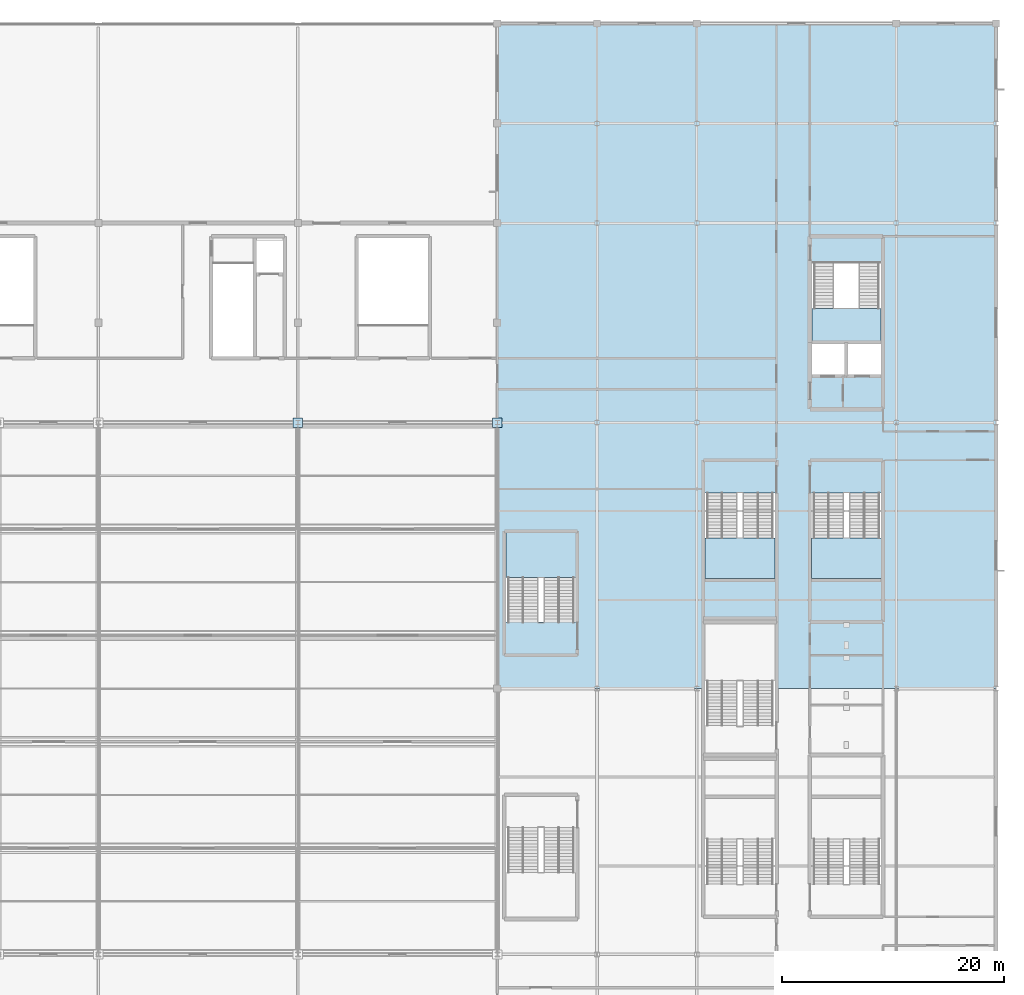
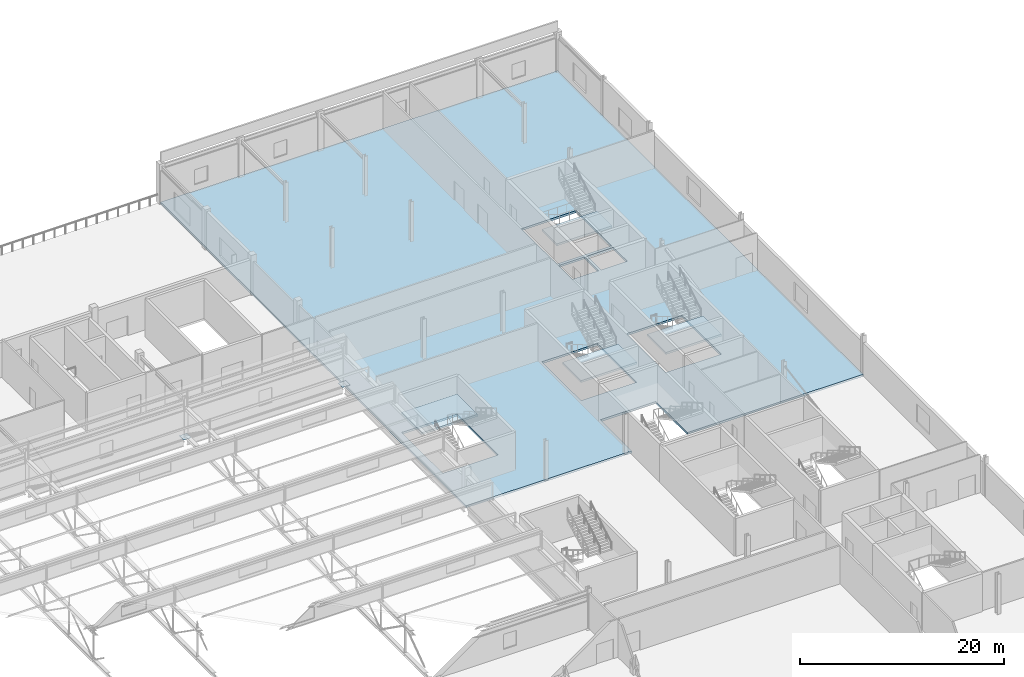
# One storey, part 93 of 136: 5 slabs, 2 plates, 4 elements without a shape of their own.
"""IFC4 building model written with IfcOpenShell, lengths in metres."""

from ifc_helpers import new_model, si_unit, direction, frame, origin, origin_2d, place, context, subcontext, project, spatial, polyline, rectangle, outline, extrude, material, layer, layer_set, type_object, element, aggregate, save


model = new_model("IFC4")

# Units and contexts
model_context = context("Model", 3, precision=1e-05, world=origin(), true_north=direction((0.0, 1.0)))
body_context = subcontext(model_context, "Body", "Model", "MODEL_VIEW")
ifc_project = project(units=[si_unit("LENGTHUNIT", "METRE"), si_unit("AREAUNIT", "SQUARE_METRE"), si_unit("VOLUMEUNIT", "CUBIC_METRE"), si_unit("PLANEANGLEUNIT", "RADIAN"), si_unit("MASSUNIT", "GRAM", prefix="KILO")], contexts=[model_context])

# Site, building, storey
site_placement = place(None, origin())
site = spatial("IfcSite", under=ifc_project, at=site_placement, CompositionType="ELEMENT")
building_placement = place(site_placement, origin())
building = spatial("IfcBuilding", under=site, at=building_placement, Name="Kisiwana Market Hall", CompositionType="ELEMENT")
storey_placement = place(building_placement, frame((0.0, 0.0, 16.800048828125)))
storey = spatial("IfcBuildingStorey", under=building, at=storey_placement, Name="L03", CompositionType="ELEMENT", Elevation=16.800048828125)

# Plates
ifc_material_1 = material(Name="Steel S355", Category="steel")
ifc_layer_1 = layer(ifc_material_1, 0.0400390625)
ifc_layer_set_1 = layer_set([ifc_layer_1], Name="PL-STR-BEAR-40")
plate_type = type_object("IfcPlateType", Name="PL-STR-BEAR-40", PredefinedType="SHEET", material=ifc_layer_set_1)
for number, where, z_axis, x_axis, name in (
    (1, (135.0, 84.0, 0.0), (0.0, 0.0, 1.0), (1.0, 0.0, 0.0), "Warren truss bearing shoe plate BP-26"),
    (2, (153.0, 84.0, 0.0), (0.0, 0.0, 1.0), (1.0, 0.0, 0.0), "Warren truss bearing shoe plate BP-28"),
):
    element("IfcPlate", number, at=place(storey_placement, frame(where, z_axis=z_axis, x_axis=x_axis)), inside=storey, type_object=plate_type, Name=name, PredefinedType="SHEET", context=body_context, shape_type="SweptSolid", body=[
        extrude(rectangle(XDim=0.85009765625, YDim=0.85009765625, at=origin_2d()), origin(), (0.0, 0.0, 1.0), 0.0400390625),
    ])

# Stair, slab
ifc_material_2 = material(Name="Concrete C32/40", Category="concrete")
stair_type_1 = type_object("IfcStairType", Name="ST-POD-4800", PredefinedType="TWO_STRAIGHT_RUN_STAIR", material=ifc_material_2)
stair_1_placement = place(storey_placement, origin())
stair_1 = element("IfcStair", 3, at=stair_1_placement, inside=storey, type_object=stair_type_1, Name="Escape stair ST-E1-L03", PredefinedType="TWO_STRAIGHT_RUN_STAIR")
ifc_material_3 = material(Name="Concrete C32/40", Category="concrete")
ifc_layer_2 = layer(ifc_material_3, 0.239990234375)
ifc_layer_set_2 = layer_set([ifc_layer_2], Name="SL-LANDING-160")
slab_type_1 = type_object("IfcSlabType", Name="SL-LANDING-160", PredefinedType="LANDING", material=ifc_layer_set_2)
slab_1_placement = place(storey_placement, frame((0.0, 0.0, 2.159912109375)))
slab_1 = element("IfcSlab", 4, at=slab_1_placement, type_object=slab_type_1, Name="ST-E1-L03 landing 1 S-198", PredefinedType="LANDING", context=body_context, shape_type="SweptSolid", body=[
    extrude(outline(polyline([(181.3798828125, 91.3798828125), (187.6201171875, 91.3798828125), (187.6201171875, 94.291015625), (181.3798828125, 94.291015625), (181.3798828125, 91.3798828125)])), origin(), (0.0, 0.0, 1.0), 0.239990234375),
])
aggregate(stair_1, [slab_1])

ifc_material_4 = material(Name="Concrete C32/40", Category="concrete")
stair_type_2 = type_object("IfcStairType", Name="ST-ESC-4800", PredefinedType="TWO_STRAIGHT_RUN_STAIR", material=ifc_material_4)
stair_2_placement = place(storey_placement, origin())
stair_2 = element("IfcStair", 5, at=stair_2_placement, inside=storey, type_object=stair_type_2, Name="Escape stair ST-E4-L03", PredefinedType="TWO_STRAIGHT_RUN_STAIR")
slab_2_placement = place(storey_placement, frame((0.0, 0.0, 2.159912109375)))
slab_2 = element("IfcSlab", 6, at=slab_2_placement, type_object=slab_type_1, Name="ST-E4-L03 landing 1 S-202", PredefinedType="LANDING", context=body_context, shape_type="SweptSolid", body=[
    extrude(outline(polyline([(181.340087890625, 69.93994140625), (187.659912109375, 69.93994140625), (187.659912109375, 73.58056640625), (181.340087890625, 73.58056640625), (181.340087890625, 69.93994140625)])), origin(), (0.0, 0.0, 1.0), 0.239990234375),
])
aggregate(stair_2, [slab_2])

stair_3_placement = place(storey_placement, origin())
stair_3 = element("IfcStair", 7, at=stair_3_placement, inside=storey, type_object=stair_type_2, Name="Escape stair ST-E8-L03", PredefinedType="TWO_STRAIGHT_RUN_STAIR")
slab_3_placement = place(storey_placement, frame((0.0, 0.0, 2.159912109375)))
slab_3 = element("IfcSlab", 8, at=slab_3_placement, type_object=slab_type_1, Name="ST-E8-L03 landing 1 S-205", PredefinedType="LANDING", context=body_context, shape_type="SweptSolid", body=[
    extrude(outline(polyline([(171.739990234375, 69.93994140625), (178.06005859375, 69.93994140625), (178.06005859375, 73.58056640625), (171.739990234375, 73.58056640625), (171.739990234375, 69.93994140625)])), origin(), (0.0, 0.0, 1.0), 0.239990234375),
])
aggregate(stair_3, [slab_3])

stair_4_placement = place(storey_placement, origin())
stair_4 = element("IfcStair", 9, at=stair_4_placement, inside=storey, type_object=stair_type_2, Name="Escape stair ST-E10-L03", PredefinedType="TWO_STRAIGHT_RUN_STAIR")
slab_4_placement = place(storey_placement, frame((0.0, 0.0, 2.159912109375)))
slab_4 = element("IfcSlab", 10, at=slab_4_placement, type_object=slab_type_1, Name="ST-E10-L03 landing 1 S-199", PredefinedType="LANDING", context=body_context, shape_type="SweptSolid", body=[
    extrude(outline(polyline([(153.77001953125, 70.01953125), (160.090087890625, 70.01953125), (160.090087890625, 74.06005859375), (153.77001953125, 74.06005859375), (153.77001953125, 70.01953125)])), origin(), (0.0, 0.0, 1.0), 0.239990234375),
])
aggregate(stair_4, [slab_4])

# Slab
ifc_material_5 = material(Name="Concrete C32/40", Category="concrete")
ifc_layer_3 = layer(ifc_material_5, 0.25)
ifc_layer_set_3 = layer_set([ifc_layer_3], Name="SL-POD-220")
slab_type_2 = type_object("IfcSlabType", Name="SL-POD-220", PredefinedType="FLOOR", material=ifc_layer_set_3)
slab_5_placement = place(storey_placement, frame((0.0, 0.0, -0.25)))
element("IfcSlab", 11, at=slab_5_placement, inside=storey, type_object=slab_type_2, Name="Structural slab S-178", PredefinedType="FLOOR", context=body_context, shape_type="SweptSolid", body=[
    extrude(outline(polyline([(153.0, 60.0), (171.760009765625, 60.0), (171.760009765625, 66.159912109375), (178.0400390625, 66.159912109375), (178.0400390625, 60.0), (198.0, 60.0), (198.0, 120.0), (153.0, 120.0), (153.0, 60.0)]), holes=[polyline([(181.39990234375, 91.39990234375), (187.60009765625, 91.39990234375), (187.60009765625, 98.35009765625), (181.39990234375, 98.35009765625), (181.39990234375, 91.39990234375)]), polyline([(181.39990234375, 88.35009765625), (184.340087890625, 88.35009765625), (184.340087890625, 91.080078125), (181.39990234375, 91.080078125), (181.39990234375, 88.35009765625)]), polyline([(184.659912109375, 88.35009765625), (187.60009765625, 88.35009765625), (187.60009765625, 91.080078125), (184.659912109375, 91.080078125), (184.659912109375, 88.35009765625)]), polyline([(181.360107421875, 69.9599609375), (187.639892578125, 69.9599609375), (187.639892578125, 77.6201171875), (181.360107421875, 77.6201171875), (181.360107421875, 69.9599609375)]), polyline([(171.760009765625, 69.9599609375), (178.0400390625, 69.9599609375), (178.0400390625, 77.6201171875), (171.760009765625, 77.6201171875), (171.760009765625, 69.9599609375)]), polyline([(153.7900390625, 65.97998046875), (160.070068359375, 65.97998046875), (160.070068359375, 74.0400390625), (153.7900390625, 74.0400390625), (153.7900390625, 65.97998046875)])]), origin(), (0.0, 0.0, 1.0), 0.25),
])

save(model, "model.ifc")
